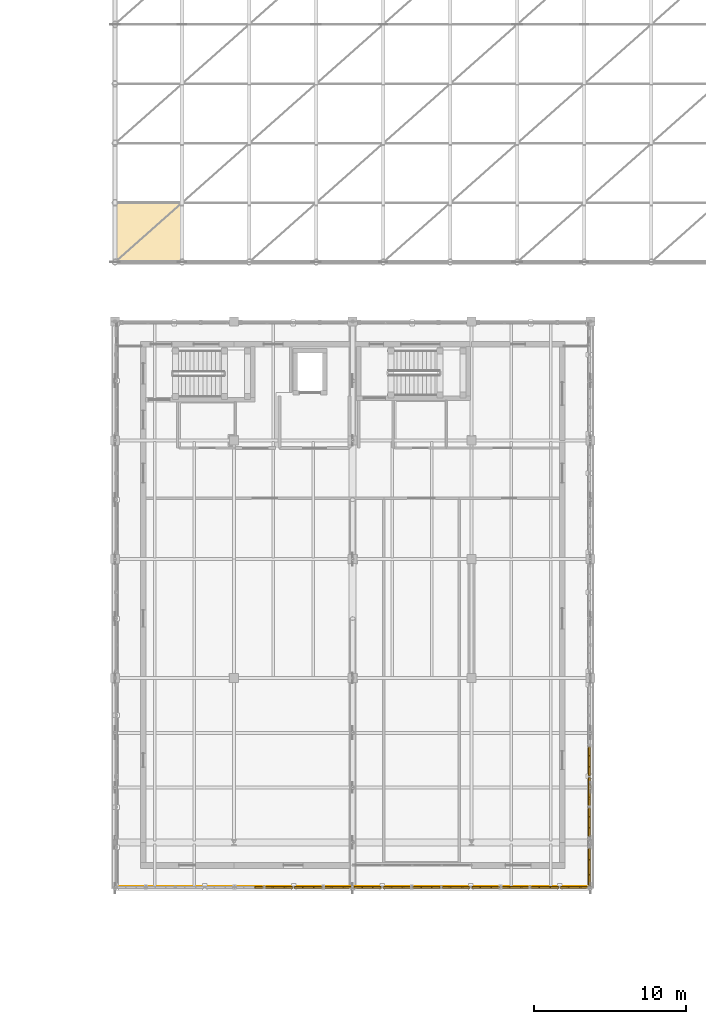
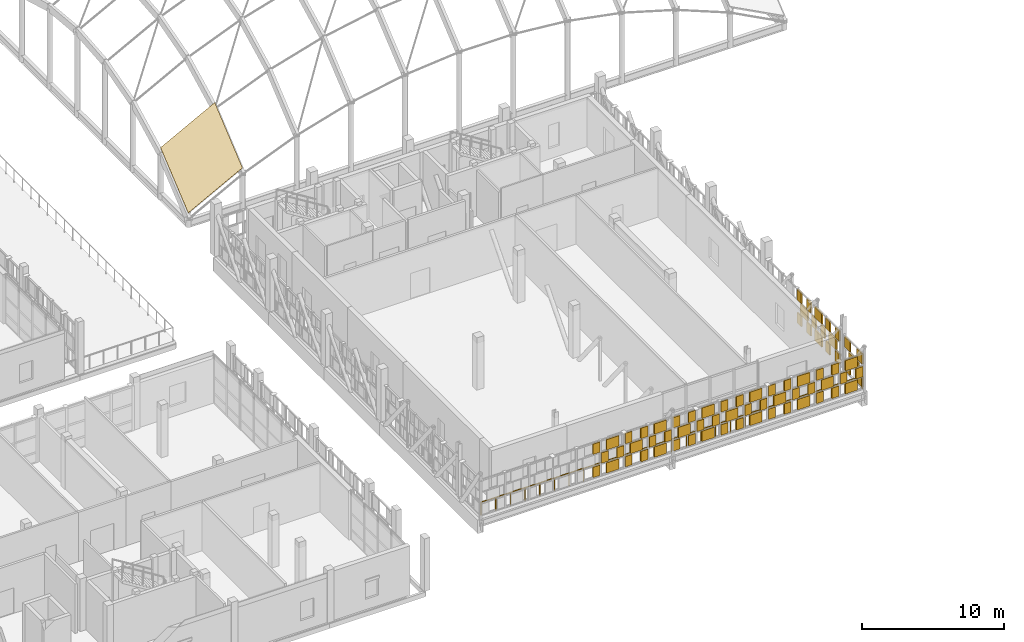
# One storey, part 109 of 119: 71 coverings, 1 railing.
"""IFC4 building model written with IfcOpenShell, lengths in metres."""

from ifc_helpers import new_model, si_unit, direction, frame, origin, origin_2d, place, context, subcontext, project, spatial, polyline, rectangle, circle, outline, extrude, material, layer, layer_set, type_object, element, save


model = new_model("IFC4")

# Units and contexts
model_context = context("Model", 3, precision=1e-05, world=origin(), true_north=direction((0.0, 1.0)))
body_context = subcontext(model_context, "Body", "Model", "MODEL_VIEW")
ifc_project = project(units=[si_unit("LENGTHUNIT", "METRE"), si_unit("AREAUNIT", "SQUARE_METRE"), si_unit("VOLUMEUNIT", "CUBIC_METRE"), si_unit("PLANEANGLEUNIT", "RADIAN"), si_unit("MASSUNIT", "GRAM", prefix="KILO")], contexts=[model_context])

# Site, building, storey
site_placement = place(None, origin())
site = spatial("IfcSite", under=ifc_project, at=site_placement, CompositionType="ELEMENT")
building_placement = place(site_placement, origin())
building = spatial("IfcBuilding", under=site, at=building_placement, Name="Celorna Specialist Clinic", CompositionType="ELEMENT")
storey_placement = place(building_placement, frame((0.0, 0.0, 9.60009765625)))
storey = spatial("IfcBuildingStorey", under=building, at=storey_placement, Name="L02", CompositionType="ELEMENT", Elevation=9.60009765625)

# Railing
ifc_material_1 = material(Name="Stainless steel and laminated glass balustrade", Category="steel")
railing_type = type_object("IfcRailingType", Name="BL-01", PredefinedType="BALUSTRADE", material=ifc_material_1)
railing_placement = place(storey_placement, frame((85.679931640625, 5.820068359375, 0.0)))
element("IfcRailing", 1, at=railing_placement, inside=storey, type_object=railing_type, Name="Lecture Wing Cantilever Veranda L02 perimeter balustrade 8", PredefinedType="BALUSTRADE", context=body_context, shape_type="SweptSolid", body=[
    extrude(circle(Radius=0.02392578125, at=origin_2d()), frame((0.0, 0.0, 1.09619140625), z_axis=(-1.0, 0.0, 0.0), x_axis=(0.0, -1.0, 0.0)), (0.0, 0.0, 1.0), 30.9599609375),
    extrude(circle(Radius=0.02099609375, at=origin_2d()), origin(), (0.0, 0.0, 1.0), 1.072021484375),
    extrude(circle(Radius=0.02099609375, at=origin_2d()), frame((-1.190673828125, 0.0, 0.0)), (0.0, 0.0, 1.0), 1.072021484375),
    extrude(circle(Radius=0.02099609375, at=origin_2d()), frame((-2.381591796875, 0.0, 0.0)), (0.0, 0.0, 1.0), 1.072021484375),
    extrude(circle(Radius=0.02099609375, at=origin_2d()), frame((-3.572265625, 0.0, 0.0)), (0.0, 0.0, 1.0), 1.072021484375),
    extrude(circle(Radius=0.02099609375, at=origin_2d()), frame((-4.76318359375, 0.0, 0.0)), (0.0, 0.0, 1.0), 1.072021484375),
    extrude(circle(Radius=0.02099609375, at=origin_2d()), frame((-5.953857421875, 0.0, 0.0)), (0.0, 0.0, 1.0), 1.072021484375),
    extrude(circle(Radius=0.02099609375, at=origin_2d()), frame((-7.14453125, 0.0, 0.0)), (0.0, 0.0, 1.0), 1.072021484375),
    extrude(circle(Radius=0.02099609375, at=origin_2d()), frame((-8.33544921875, 0.0, 0.0)), (0.0, 0.0, 1.0), 1.072021484375),
    extrude(circle(Radius=0.02099609375, at=origin_2d()), frame((-9.526123046875, 0.0, 0.0)), (0.0, 0.0, 1.0), 1.072021484375),
    extrude(circle(Radius=0.02099609375, at=origin_2d()), frame((-10.716796875, 0.0, 0.0)), (0.0, 0.0, 1.0), 1.072021484375),
    extrude(circle(Radius=0.02099609375, at=origin_2d()), frame((-11.90771484375, 0.0, 0.0)), (0.0, 0.0, 1.0), 1.072021484375),
    extrude(circle(Radius=0.02099609375, at=origin_2d()), frame((-13.098388671875, 0.0, 0.0)), (0.0, 0.0, 1.0), 1.072021484375),
    extrude(circle(Radius=0.02099609375, at=origin_2d()), frame((-14.289306640625, 0.0, 0.0)), (0.0, 0.0, 1.0), 1.072021484375),
    extrude(circle(Radius=0.02099609375, at=origin_2d()), frame((-15.47998046875, 0.0, 0.0)), (0.0, 0.0, 1.0), 1.072021484375),
    extrude(circle(Radius=0.02099609375, at=origin_2d()), frame((-16.670654296875, 0.0, 0.0)), (0.0, 0.0, 1.0), 1.072021484375),
    extrude(circle(Radius=0.02099609375, at=origin_2d()), frame((-17.861572265625, 0.0, 0.0)), (0.0, 0.0, 1.0), 1.072021484375),
    extrude(circle(Radius=0.02099609375, at=origin_2d()), frame((-19.05224609375, 0.0, 0.0)), (0.0, 0.0, 1.0), 1.072021484375),
    extrude(circle(Radius=0.02099609375, at=origin_2d()), frame((-20.2431640625, 0.0, 0.0)), (0.0, 0.0, 1.0), 1.072021484375),
    extrude(circle(Radius=0.02099609375, at=origin_2d()), frame((-21.433837890625, 0.0, 0.0)), (0.0, 0.0, 1.0), 1.072021484375),
    extrude(circle(Radius=0.02099609375, at=origin_2d()), frame((-22.62451171875, 0.0, 0.0)), (0.0, 0.0, 1.0), 1.072021484375),
    extrude(circle(Radius=0.02099609375, at=origin_2d()), frame((-23.8154296875, 0.0, 0.0)), (0.0, 0.0, 1.0), 1.072021484375),
    extrude(circle(Radius=0.02099609375, at=origin_2d()), frame((-25.006103515625, 0.0, 0.0)), (0.0, 0.0, 1.0), 1.072021484375),
    extrude(circle(Radius=0.02099609375, at=origin_2d()), frame((-26.19677734375, 0.0, 0.0)), (0.0, 0.0, 1.0), 1.072021484375),
    extrude(circle(Radius=0.02099609375, at=origin_2d()), frame((-27.3876953125, 0.0, 0.0)), (0.0, 0.0, 1.0), 1.072021484375),
    extrude(circle(Radius=0.02099609375, at=origin_2d()), frame((-28.578369140625, 0.0, 0.0)), (0.0, 0.0, 1.0), 1.072021484375),
    extrude(circle(Radius=0.02099609375, at=origin_2d()), frame((-29.769287109375, 0.0, 0.0)), (0.0, 0.0, 1.0), 1.072021484375),
    extrude(circle(Radius=0.02099609375, at=origin_2d()), frame((-30.9599609375, 0.0, 0.0)), (0.0, 0.0, 1.0), 1.072021484375),
])

# Coverings
ifc_material_2 = material(Name="Perforated terracotta brick weave cladding", Category="masonry")
ifc_layer_1 = layer(ifc_material_2, 0.114990234375, Name="Perforated terracotta brick weave cladding")
ifc_layer_set_1 = layer_set([ifc_layer_1], Name="Perforated terracotta brick weave cladding")
covering_type_1 = type_object("IfcCoveringType", Name="CL-02", PredefinedType="CLADDING", material=ifc_layer_set_1)
for number, where, z_axis, x_axis, name in (
    (2, (64.04248046875, 5.77001953125, 0.099609375), (0.0, 0.0, 1.0), (1.0, 0.0, 0.0), "Woven perforated terracotta brick course #20"),
    (3, (64.04248046875, 5.77001953125, 2.08642578125), (0.0, 0.0, 1.0), (1.0, 0.0, 0.0), "Woven perforated terracotta brick course #23"),
):
    element("IfcCovering", number, at=place(storey_placement, frame(where, z_axis=z_axis, x_axis=x_axis)), inside=storey, type_object=covering_type_1, Name=name, PredefinedType="CLADDING", context=body_context, shape_type="SweptSolid", body=[
        extrude(rectangle(XDim=0.55517578125, YDim=0.114990234375, at=origin_2d()), origin(), (0.0, 0.0, 1.0), 0.893310546875),
    ])
covering_1_placement = place(storey_placement, frame((65.35009765625, 5.77001953125, 0.099609375), z_axis=(0.0, 0.0, 1.0), x_axis=(1.0, 0.0, 0.0)))
element("IfcCovering", 4, at=covering_1_placement, inside=storey, type_object=covering_type_1, Name="Woven perforated terracotta brick course #24", PredefinedType="CLADDING", context=body_context, shape_type="SweptSolid", body=[
    extrude(rectangle(XDim=0.98291015625, YDim=0.114990234375, at=origin_2d()), origin(), (0.0, 0.0, 1.0), 0.893310546875),
])
for number, where, z_axis, x_axis, name in (
    (5, (64.717529296875, 5.77001953125, 1.09326171875), (0.0, 0.0, 1.0), (1.0, 0.0, 0.0), "Woven perforated terracotta brick course #25"),
    (6, (65.982421875, 5.77001953125, 1.09326171875), (0.0, 0.0, 1.0), (1.0, 0.0, 0.0), "Woven perforated terracotta brick course #26"),
):
    element("IfcCovering", number, at=place(storey_placement, frame(where, z_axis=z_axis, x_axis=x_axis)), inside=storey, type_object=covering_type_1, Name=name, PredefinedType="CLADDING", context=body_context, shape_type="SweptSolid", body=[
        extrude(rectangle(XDim=0.55517578125, YDim=0.114990234375, at=origin_2d()), origin(), (0.0, 0.0, 1.0), 0.893310546875),
    ])
covering_2_placement = place(storey_placement, frame((65.35009765625, 5.77001953125, 2.08642578125), z_axis=(0.0, 0.0, 1.0), x_axis=(1.0, 0.0, 0.0)))
element("IfcCovering", 7, at=covering_2_placement, inside=storey, type_object=covering_type_1, Name="Woven perforated terracotta brick course #27", PredefinedType="CLADDING", context=body_context, shape_type="SweptSolid", body=[
    extrude(rectangle(XDim=0.98291015625, YDim=0.114990234375, at=origin_2d()), origin(), (0.0, 0.0, 1.0), 0.893310546875),
])
for number, where, z_axis, x_axis, name in (
    (8, (66.65771484375, 5.77001953125, 0.099609375), (0.0, 0.0, 1.0), (1.0, 0.0, 0.0), "Woven perforated terracotta brick course #28"),
    (9, (67.92236328125, 5.77001953125, 0.099609375), (0.0, 0.0, 1.0), (1.0, 0.0, 0.0), "Woven perforated terracotta brick course #29"),
):
    element("IfcCovering", number, at=place(storey_placement, frame(where, z_axis=z_axis, x_axis=x_axis)), inside=storey, type_object=covering_type_1, Name=name, PredefinedType="CLADDING", context=body_context, shape_type="SweptSolid", body=[
        extrude(rectangle(XDim=0.55517578125, YDim=0.114990234375, at=origin_2d()), origin(), (0.0, 0.0, 1.0), 0.893310546875),
    ])
covering_3_placement = place(storey_placement, frame((67.2900390625, 5.77001953125, 1.09326171875), z_axis=(0.0, 0.0, 1.0), x_axis=(1.0, 0.0, 0.0)))
element("IfcCovering", 10, at=covering_3_placement, inside=storey, type_object=covering_type_1, Name="Woven perforated terracotta brick course #30", PredefinedType="CLADDING", context=body_context, shape_type="SweptSolid", body=[
    extrude(rectangle(XDim=0.98291015625, YDim=0.114990234375, at=origin_2d()), origin(), (0.0, 0.0, 1.0), 0.893310546875),
])
for number, where, z_axis, x_axis, name in (
    (11, (66.65771484375, 5.77001953125, 2.08642578125), (0.0, 0.0, 1.0), (1.0, 0.0, 0.0), "Woven perforated terracotta brick course #31"),
    (12, (67.92236328125, 5.77001953125, 2.08642578125), (0.0, 0.0, 1.0), (1.0, 0.0, 0.0), "Woven perforated terracotta brick course #32"),
):
    element("IfcCovering", number, at=place(storey_placement, frame(where, z_axis=z_axis, x_axis=x_axis)), inside=storey, type_object=covering_type_1, Name=name, PredefinedType="CLADDING", context=body_context, shape_type="SweptSolid", body=[
        extrude(rectangle(XDim=0.55517578125, YDim=0.114990234375, at=origin_2d()), origin(), (0.0, 0.0, 1.0), 0.893310546875),
    ])
covering_4_placement = place(storey_placement, frame((69.22998046875, 5.77001953125, 0.099609375), z_axis=(0.0, 0.0, 1.0), x_axis=(1.0, 0.0, 0.0)))
element("IfcCovering", 13, at=covering_4_placement, inside=storey, type_object=covering_type_1, Name="Woven perforated terracotta brick course #33", PredefinedType="CLADDING", context=body_context, shape_type="SweptSolid", body=[
    extrude(rectangle(XDim=0.98291015625, YDim=0.114990234375, at=origin_2d()), origin(), (0.0, 0.0, 1.0), 0.893310546875),
])
for number, where, z_axis, x_axis, name in (
    (14, (68.597412109375, 5.77001953125, 1.09326171875), (0.0, 0.0, 1.0), (1.0, 0.0, 0.0), "Woven perforated terracotta brick course #34"),
    (15, (69.8623046875, 5.77001953125, 1.09326171875), (0.0, 0.0, 1.0), (1.0, 0.0, 0.0), "Woven perforated terracotta brick course #35"),
):
    element("IfcCovering", number, at=place(storey_placement, frame(where, z_axis=z_axis, x_axis=x_axis)), inside=storey, type_object=covering_type_1, Name=name, PredefinedType="CLADDING", context=body_context, shape_type="SweptSolid", body=[
        extrude(rectangle(XDim=0.55517578125, YDim=0.114990234375, at=origin_2d()), origin(), (0.0, 0.0, 1.0), 0.893310546875),
    ])
covering_5_placement = place(storey_placement, frame((69.22998046875, 5.77001953125, 2.08642578125), z_axis=(0.0, 0.0, 1.0), x_axis=(1.0, 0.0, 0.0)))
element("IfcCovering", 16, at=covering_5_placement, inside=storey, type_object=covering_type_1, Name="Woven perforated terracotta brick course #36", PredefinedType="CLADDING", context=body_context, shape_type="SweptSolid", body=[
    extrude(rectangle(XDim=0.98291015625, YDim=0.114990234375, at=origin_2d()), origin(), (0.0, 0.0, 1.0), 0.893310546875),
])
for number, where, z_axis, x_axis, name in (
    (17, (70.53759765625, 5.77001953125, 0.099609375), (0.0, 0.0, 1.0), (1.0, 0.0, 0.0), "Woven perforated terracotta brick course #37"),
    (18, (71.802490234375, 5.77001953125, 0.099609375), (0.0, 0.0, 1.0), (1.0, 0.0, 0.0), "Woven perforated terracotta brick course #38"),
):
    element("IfcCovering", number, at=place(storey_placement, frame(where, z_axis=z_axis, x_axis=x_axis)), inside=storey, type_object=covering_type_1, Name=name, PredefinedType="CLADDING", context=body_context, shape_type="SweptSolid", body=[
        extrude(rectangle(XDim=0.55517578125, YDim=0.114990234375, at=origin_2d()), origin(), (0.0, 0.0, 1.0), 0.893310546875),
    ])
covering_6_placement = place(storey_placement, frame((71.169921875, 5.77001953125, 1.09326171875), z_axis=(0.0, 0.0, 1.0), x_axis=(1.0, 0.0, 0.0)))
element("IfcCovering", 19, at=covering_6_placement, inside=storey, type_object=covering_type_1, Name="Woven perforated terracotta brick course #39", PredefinedType="CLADDING", context=body_context, shape_type="SweptSolid", body=[
    extrude(rectangle(XDim=0.98291015625, YDim=0.114990234375, at=origin_2d()), origin(), (0.0, 0.0, 1.0), 0.893310546875),
])
for number, where, z_axis, x_axis, name in (
    (20, (70.53759765625, 5.77001953125, 2.08642578125), (0.0, 0.0, 1.0), (1.0, 0.0, 0.0), "Woven perforated terracotta brick course #40"),
    (21, (71.802490234375, 5.77001953125, 2.08642578125), (0.0, 0.0, 1.0), (1.0, 0.0, 0.0), "Woven perforated terracotta brick course #41"),
):
    element("IfcCovering", number, at=place(storey_placement, frame(where, z_axis=z_axis, x_axis=x_axis)), inside=storey, type_object=covering_type_1, Name=name, PredefinedType="CLADDING", context=body_context, shape_type="SweptSolid", body=[
        extrude(rectangle(XDim=0.55517578125, YDim=0.114990234375, at=origin_2d()), origin(), (0.0, 0.0, 1.0), 0.893310546875),
    ])
covering_7_placement = place(storey_placement, frame((73.110107421875, 5.77001953125, 0.099609375), z_axis=(0.0, 0.0, 1.0), x_axis=(1.0, 0.0, 0.0)))
element("IfcCovering", 22, at=covering_7_placement, inside=storey, type_object=covering_type_1, Name="Woven perforated terracotta brick course #42", PredefinedType="CLADDING", context=body_context, shape_type="SweptSolid", body=[
    extrude(rectangle(XDim=0.98291015625, YDim=0.114990234375, at=origin_2d()), origin(), (0.0, 0.0, 1.0), 0.893310546875),
])
for number, where, z_axis, x_axis, name in (
    (23, (72.4775390625, 5.77001953125, 1.09326171875), (0.0, 0.0, 1.0), (1.0, 0.0, 0.0), "Woven perforated terracotta brick course #43"),
    (24, (73.742431640625, 5.77001953125, 1.09326171875), (0.0, 0.0, 1.0), (1.0, 0.0, 0.0), "Woven perforated terracotta brick course #44"),
):
    element("IfcCovering", number, at=place(storey_placement, frame(where, z_axis=z_axis, x_axis=x_axis)), inside=storey, type_object=covering_type_1, Name=name, PredefinedType="CLADDING", context=body_context, shape_type="SweptSolid", body=[
        extrude(rectangle(XDim=0.55517578125, YDim=0.114990234375, at=origin_2d()), origin(), (0.0, 0.0, 1.0), 0.893310546875),
    ])
covering_8_placement = place(storey_placement, frame((73.110107421875, 5.77001953125, 2.08642578125), z_axis=(0.0, 0.0, 1.0), x_axis=(1.0, 0.0, 0.0)))
element("IfcCovering", 25, at=covering_8_placement, inside=storey, type_object=covering_type_1, Name="Woven perforated terracotta brick course #45", PredefinedType="CLADDING", context=body_context, shape_type="SweptSolid", body=[
    extrude(rectangle(XDim=0.98291015625, YDim=0.114990234375, at=origin_2d()), origin(), (0.0, 0.0, 1.0), 0.893310546875),
])
for number, where, z_axis, x_axis, name in (
    (26, (74.41748046875, 5.77001953125, 0.099609375), (0.0, 0.0, 1.0), (1.0, 0.0, 0.0), "Woven perforated terracotta brick course #46"),
    (27, (75.6826171875, 5.77001953125, 0.099609375), (0.0, 0.0, 1.0), (1.0, 0.0, 0.0), "Woven perforated terracotta brick course #47"),
):
    element("IfcCovering", number, at=place(storey_placement, frame(where, z_axis=z_axis, x_axis=x_axis)), inside=storey, type_object=covering_type_1, Name=name, PredefinedType="CLADDING", context=body_context, shape_type="SweptSolid", body=[
        extrude(rectangle(XDim=0.55517578125, YDim=0.114990234375, at=origin_2d()), origin(), (0.0, 0.0, 1.0), 0.893310546875),
    ])
covering_9_placement = place(storey_placement, frame((75.050048828125, 5.77001953125, 1.09326171875), z_axis=(0.0, 0.0, 1.0), x_axis=(1.0, 0.0, 0.0)))
element("IfcCovering", 28, at=covering_9_placement, inside=storey, type_object=covering_type_1, Name="Woven perforated terracotta brick course #48", PredefinedType="CLADDING", context=body_context, shape_type="SweptSolid", body=[
    extrude(rectangle(XDim=0.98291015625, YDim=0.114990234375, at=origin_2d()), origin(), (0.0, 0.0, 1.0), 0.893310546875),
])
for number, where, z_axis, x_axis, name in (
    (29, (74.41748046875, 5.77001953125, 2.08642578125), (0.0, 0.0, 1.0), (1.0, 0.0, 0.0), "Woven perforated terracotta brick course #49"),
    (30, (75.6826171875, 5.77001953125, 2.08642578125), (0.0, 0.0, 1.0), (1.0, 0.0, 0.0), "Woven perforated terracotta brick course #50"),
):
    element("IfcCovering", number, at=place(storey_placement, frame(where, z_axis=z_axis, x_axis=x_axis)), inside=storey, type_object=covering_type_1, Name=name, PredefinedType="CLADDING", context=body_context, shape_type="SweptSolid", body=[
        extrude(rectangle(XDim=0.55517578125, YDim=0.114990234375, at=origin_2d()), origin(), (0.0, 0.0, 1.0), 0.893310546875),
    ])
covering_10_placement = place(storey_placement, frame((76.989990234375, 5.77001953125, 0.099609375), z_axis=(0.0, 0.0, 1.0), x_axis=(1.0, 0.0, 0.0)))
element("IfcCovering", 31, at=covering_10_placement, inside=storey, type_object=covering_type_1, Name="Woven perforated terracotta brick course #51", PredefinedType="CLADDING", context=body_context, shape_type="SweptSolid", body=[
    extrude(rectangle(XDim=0.98291015625, YDim=0.114990234375, at=origin_2d()), origin(), (0.0, 0.0, 1.0), 0.893310546875),
])
for number, where, z_axis, x_axis, name in (
    (32, (76.357666015625, 5.77001953125, 1.09326171875), (0.0, 0.0, 1.0), (1.0, 0.0, 0.0), "Woven perforated terracotta brick course #52"),
    (33, (77.62255859375, 5.77001953125, 1.09326171875), (0.0, 0.0, 1.0), (1.0, 0.0, 0.0), "Woven perforated terracotta brick course #53"),
):
    element("IfcCovering", number, at=place(storey_placement, frame(where, z_axis=z_axis, x_axis=x_axis)), inside=storey, type_object=covering_type_1, Name=name, PredefinedType="CLADDING", context=body_context, shape_type="SweptSolid", body=[
        extrude(rectangle(XDim=0.55517578125, YDim=0.114990234375, at=origin_2d()), origin(), (0.0, 0.0, 1.0), 0.893310546875),
    ])
covering_11_placement = place(storey_placement, frame((76.989990234375, 5.77001953125, 2.08642578125), z_axis=(0.0, 0.0, 1.0), x_axis=(1.0, 0.0, 0.0)))
element("IfcCovering", 34, at=covering_11_placement, inside=storey, type_object=covering_type_1, Name="Woven perforated terracotta brick course #54", PredefinedType="CLADDING", context=body_context, shape_type="SweptSolid", body=[
    extrude(rectangle(XDim=0.98291015625, YDim=0.114990234375, at=origin_2d()), origin(), (0.0, 0.0, 1.0), 0.893310546875),
])
for number, where, z_axis, x_axis, name in (
    (35, (78.297607421875, 5.77001953125, 0.099609375), (0.0, 0.0, 1.0), (1.0, 0.0, 0.0), "Woven perforated terracotta brick course #55"),
    (36, (79.5625, 5.77001953125, 0.099609375), (0.0, 0.0, 1.0), (1.0, 0.0, 0.0), "Woven perforated terracotta brick course #56"),
):
    element("IfcCovering", number, at=place(storey_placement, frame(where, z_axis=z_axis, x_axis=x_axis)), inside=storey, type_object=covering_type_1, Name=name, PredefinedType="CLADDING", context=body_context, shape_type="SweptSolid", body=[
        extrude(rectangle(XDim=0.55517578125, YDim=0.114990234375, at=origin_2d()), origin(), (0.0, 0.0, 1.0), 0.893310546875),
    ])
covering_12_placement = place(storey_placement, frame((78.929931640625, 5.77001953125, 1.09326171875), z_axis=(0.0, 0.0, 1.0), x_axis=(1.0, 0.0, 0.0)))
element("IfcCovering", 37, at=covering_12_placement, inside=storey, type_object=covering_type_1, Name="Woven perforated terracotta brick course #57", PredefinedType="CLADDING", context=body_context, shape_type="SweptSolid", body=[
    extrude(rectangle(XDim=0.98291015625, YDim=0.114990234375, at=origin_2d()), origin(), (0.0, 0.0, 1.0), 0.893310546875),
])
for number, where, z_axis, x_axis, name in (
    (38, (78.297607421875, 5.77001953125, 2.08642578125), (0.0, 0.0, 1.0), (1.0, 0.0, 0.0), "Woven perforated terracotta brick course #58"),
    (39, (79.5625, 5.77001953125, 2.08642578125), (0.0, 0.0, 1.0), (1.0, 0.0, 0.0), "Woven perforated terracotta brick course #59"),
):
    element("IfcCovering", number, at=place(storey_placement, frame(where, z_axis=z_axis, x_axis=x_axis)), inside=storey, type_object=covering_type_1, Name=name, PredefinedType="CLADDING", context=body_context, shape_type="SweptSolid", body=[
        extrude(rectangle(XDim=0.55517578125, YDim=0.114990234375, at=origin_2d()), origin(), (0.0, 0.0, 1.0), 0.893310546875),
    ])
covering_13_placement = place(storey_placement, frame((80.8701171875, 5.77001953125, 0.099609375), z_axis=(0.0, 0.0, 1.0), x_axis=(1.0, 0.0, 0.0)))
element("IfcCovering", 40, at=covering_13_placement, inside=storey, type_object=covering_type_1, Name="Woven perforated terracotta brick course #60", PredefinedType="CLADDING", context=body_context, shape_type="SweptSolid", body=[
    extrude(rectangle(XDim=0.98291015625, YDim=0.114990234375, at=origin_2d()), origin(), (0.0, 0.0, 1.0), 0.893310546875),
])
for number, where, z_axis, x_axis, name in (
    (41, (80.237548828125, 5.77001953125, 1.09326171875), (0.0, 0.0, 1.0), (1.0, 0.0, 0.0), "Woven perforated terracotta brick course #61"),
    (42, (81.50244140625, 5.77001953125, 1.09326171875), (0.0, 0.0, 1.0), (1.0, 0.0, 0.0), "Woven perforated terracotta brick course #62"),
):
    element("IfcCovering", number, at=place(storey_placement, frame(where, z_axis=z_axis, x_axis=x_axis)), inside=storey, type_object=covering_type_1, Name=name, PredefinedType="CLADDING", context=body_context, shape_type="SweptSolid", body=[
        extrude(rectangle(XDim=0.55517578125, YDim=0.114990234375, at=origin_2d()), origin(), (0.0, 0.0, 1.0), 0.893310546875),
    ])
covering_14_placement = place(storey_placement, frame((80.8701171875, 5.77001953125, 2.08642578125), z_axis=(0.0, 0.0, 1.0), x_axis=(1.0, 0.0, 0.0)))
element("IfcCovering", 43, at=covering_14_placement, inside=storey, type_object=covering_type_1, Name="Woven perforated terracotta brick course #63", PredefinedType="CLADDING", context=body_context, shape_type="SweptSolid", body=[
    extrude(rectangle(XDim=0.98291015625, YDim=0.114990234375, at=origin_2d()), origin(), (0.0, 0.0, 1.0), 0.893310546875),
])
for number, where, z_axis, x_axis, name in (
    (44, (82.177490234375, 5.77001953125, 0.099609375), (0.0, 0.0, 1.0), (1.0, 0.0, 0.0), "Woven perforated terracotta brick course #64"),
    (45, (83.4423828125, 5.77001953125, 0.099609375), (0.0, 0.0, 1.0), (1.0, 0.0, 0.0), "Woven perforated terracotta brick course #65"),
):
    element("IfcCovering", number, at=place(storey_placement, frame(where, z_axis=z_axis, x_axis=x_axis)), inside=storey, type_object=covering_type_1, Name=name, PredefinedType="CLADDING", context=body_context, shape_type="SweptSolid", body=[
        extrude(rectangle(XDim=0.55517578125, YDim=0.114990234375, at=origin_2d()), origin(), (0.0, 0.0, 1.0), 0.893310546875),
    ])
covering_15_placement = place(storey_placement, frame((82.81005859375, 5.77001953125, 1.09326171875), z_axis=(0.0, 0.0, 1.0), x_axis=(1.0, 0.0, 0.0)))
element("IfcCovering", 46, at=covering_15_placement, inside=storey, type_object=covering_type_1, Name="Woven perforated terracotta brick course #66", PredefinedType="CLADDING", context=body_context, shape_type="SweptSolid", body=[
    extrude(rectangle(XDim=0.98291015625, YDim=0.114990234375, at=origin_2d()), origin(), (0.0, 0.0, 1.0), 0.893310546875),
])
for number, where, z_axis, x_axis, name in (
    (47, (82.177490234375, 5.77001953125, 2.08642578125), (0.0, 0.0, 1.0), (1.0, 0.0, 0.0), "Woven perforated terracotta brick course #67"),
    (48, (83.4423828125, 5.77001953125, 2.08642578125), (0.0, 0.0, 1.0), (1.0, 0.0, 0.0), "Woven perforated terracotta brick course #68"),
):
    element("IfcCovering", number, at=place(storey_placement, frame(where, z_axis=z_axis, x_axis=x_axis)), inside=storey, type_object=covering_type_1, Name=name, PredefinedType="CLADDING", context=body_context, shape_type="SweptSolid", body=[
        extrude(rectangle(XDim=0.55517578125, YDim=0.114990234375, at=origin_2d()), origin(), (0.0, 0.0, 1.0), 0.893310546875),
    ])
covering_16_placement = place(storey_placement, frame((84.75, 5.77001953125, 0.099609375), z_axis=(0.0, 0.0, 1.0), x_axis=(1.0, 0.0, 0.0)))
element("IfcCovering", 49, at=covering_16_placement, inside=storey, type_object=covering_type_1, Name="Woven perforated terracotta brick course #69", PredefinedType="CLADDING", context=body_context, shape_type="SweptSolid", body=[
    extrude(rectangle(XDim=0.98291015625, YDim=0.114990234375, at=origin_2d()), origin(), (0.0, 0.0, 1.0), 0.893310546875),
])
for number, where, z_axis, x_axis, name in (
    (50, (84.117431640625, 5.77001953125, 1.09326171875), (0.0, 0.0, 1.0), (1.0, 0.0, 0.0), "Woven perforated terracotta brick course #70"),
    (51, (85.382568359375, 5.77001953125, 1.09326171875), (0.0, 0.0, 1.0), (1.0, 0.0, 0.0), "Woven perforated terracotta brick course #71"),
):
    element("IfcCovering", number, at=place(storey_placement, frame(where, z_axis=z_axis, x_axis=x_axis)), inside=storey, type_object=covering_type_1, Name=name, PredefinedType="CLADDING", context=body_context, shape_type="SweptSolid", body=[
        extrude(rectangle(XDim=0.55517578125, YDim=0.114990234375, at=origin_2d()), origin(), (0.0, 0.0, 1.0), 0.893310546875),
    ])
covering_17_placement = place(storey_placement, frame((84.75, 5.77001953125, 2.08642578125), z_axis=(0.0, 0.0, 1.0), x_axis=(1.0, 0.0, 0.0)))
element("IfcCovering", 52, at=covering_17_placement, inside=storey, type_object=covering_type_1, Name="Woven perforated terracotta brick course #72", PredefinedType="CLADDING", context=body_context, shape_type="SweptSolid", body=[
    extrude(rectangle(XDim=0.98291015625, YDim=0.114990234375, at=origin_2d()), origin(), (0.0, 0.0, 1.0), 0.893310546875),
])
for number, where, z_axis, x_axis, name in (
    (53, (85.72998046875, 6.21826171875, 0.099609375), (0.0, 0.0, 1.0), (0.0, 1.0, 0.0), "Woven perforated terracotta brick course #309"),
    (54, (85.72998046875, 7.94189453125, 0.099609375), (0.0, 0.0, 1.0), (0.0, 1.0, 0.0), "Woven perforated terracotta brick course #310"),
):
    element("IfcCovering", number, at=place(storey_placement, frame(where, z_axis=z_axis, x_axis=x_axis)), inside=storey, type_object=covering_type_1, Name=name, PredefinedType="CLADDING", context=body_context, shape_type="SweptSolid", body=[
        extrude(rectangle(XDim=0.75634765625, YDim=0.114990234375, at=origin_2d()), origin(), (0.0, 0.0, 1.0), 0.893310546875),
    ])
covering_18_placement = place(storey_placement, frame((85.72998046875, 7.080078125, 1.09326171875), z_axis=(0.0, 0.0, 1.0), x_axis=(0.0, 1.0, 0.0)))
element("IfcCovering", 55, at=covering_18_placement, inside=storey, type_object=covering_type_1, Name="Woven perforated terracotta brick course #311", PredefinedType="CLADDING", context=body_context, shape_type="SweptSolid", body=[
    extrude(rectangle(XDim=1.339111328125, YDim=0.114990234375, at=origin_2d()), origin(), (0.0, 0.0, 1.0), 0.893310546875),
])
for number, where, z_axis, x_axis, name in (
    (56, (85.72998046875, 6.21826171875, 2.08642578125), (0.0, 0.0, 1.0), (0.0, 1.0, 0.0), "Woven perforated terracotta brick course #312"),
    (57, (85.72998046875, 7.94189453125, 2.08642578125), (0.0, 0.0, 1.0), (0.0, 1.0, 0.0), "Woven perforated terracotta brick course #313"),
):
    element("IfcCovering", number, at=place(storey_placement, frame(where, z_axis=z_axis, x_axis=x_axis)), inside=storey, type_object=covering_type_1, Name=name, PredefinedType="CLADDING", context=body_context, shape_type="SweptSolid", body=[
        extrude(rectangle(XDim=0.75634765625, YDim=0.114990234375, at=origin_2d()), origin(), (0.0, 0.0, 1.0), 0.893310546875),
    ])
for number, where, z_axis, x_axis, name in (
    (58, (85.72998046875, 9.367919921875, 0.099609375), (0.0, 0.0, 1.0), (0.0, 1.0, 0.0), "Woven perforated terracotta brick course #314"),
    (59, (85.72998046875, 10.68017578125, 0.099609375), (0.0, 0.0, 1.0), (0.0, 1.0, 0.0), "Woven perforated terracotta brick course #315"),
):
    element("IfcCovering", number, at=place(storey_placement, frame(where, z_axis=z_axis, x_axis=x_axis)), inside=storey, type_object=covering_type_1, Name=name, PredefinedType="CLADDING", context=body_context, shape_type="SweptSolid", body=[
        extrude(rectangle(XDim=0.57568359375, YDim=0.114990234375, at=origin_2d()), origin(), (0.0, 0.0, 1.0), 0.893310546875),
    ])
covering_19_placement = place(storey_placement, frame((85.72998046875, 10.02392578125, 1.09326171875), z_axis=(0.0, 0.0, 1.0), x_axis=(0.0, 1.0, 0.0)))
element("IfcCovering", 60, at=covering_19_placement, inside=storey, type_object=covering_type_1, Name="Woven perforated terracotta brick course #316", PredefinedType="CLADDING", context=body_context, shape_type="SweptSolid", body=[
    extrude(rectangle(XDim=1.01953125, YDim=0.114990234375, at=origin_2d()), origin(), (0.0, 0.0, 1.0), 0.893310546875),
])
for number, where, z_axis, x_axis, name in (
    (61, (85.72998046875, 9.367919921875, 2.08642578125), (0.0, 0.0, 1.0), (0.0, 1.0, 0.0), "Woven perforated terracotta brick course #317"),
    (62, (85.72998046875, 10.68017578125, 2.08642578125), (0.0, 0.0, 1.0), (0.0, 1.0, 0.0), "Woven perforated terracotta brick course #318"),
):
    element("IfcCovering", number, at=place(storey_placement, frame(where, z_axis=z_axis, x_axis=x_axis)), inside=storey, type_object=covering_type_1, Name=name, PredefinedType="CLADDING", context=body_context, shape_type="SweptSolid", body=[
        extrude(rectangle(XDim=0.57568359375, YDim=0.114990234375, at=origin_2d()), origin(), (0.0, 0.0, 1.0), 0.893310546875),
    ])
covering_20_placement = place(storey_placement, frame((85.72998046875, 12.031982421875, 0.099609375), z_axis=(0.0, 0.0, 1.0), x_axis=(0.0, 1.0, 0.0)))
element("IfcCovering", 63, at=covering_20_placement, inside=storey, type_object=covering_type_1, Name="Woven perforated terracotta brick course #319", PredefinedType="CLADDING", context=body_context, shape_type="SweptSolid", body=[
    extrude(rectangle(XDim=1.01953125, YDim=0.114990234375, at=origin_2d()), origin(), (0.0, 0.0, 1.0), 0.893310546875),
])
for number, where, z_axis, x_axis, name in (
    (64, (85.72998046875, 11.3759765625, 1.09326171875), (0.0, 0.0, 1.0), (0.0, 1.0, 0.0), "Woven perforated terracotta brick course #320"),
    (65, (85.72998046875, 12.68798828125, 1.09326171875), (0.0, 0.0, 1.0), (0.0, 1.0, 0.0), "Woven perforated terracotta brick course #321"),
):
    element("IfcCovering", number, at=place(storey_placement, frame(where, z_axis=z_axis, x_axis=x_axis)), inside=storey, type_object=covering_type_1, Name=name, PredefinedType="CLADDING", context=body_context, shape_type="SweptSolid", body=[
        extrude(rectangle(XDim=0.57568359375, YDim=0.114990234375, at=origin_2d()), origin(), (0.0, 0.0, 1.0), 0.893310546875),
    ])
covering_21_placement = place(storey_placement, frame((85.72998046875, 12.031982421875, 2.08642578125), z_axis=(0.0, 0.0, 1.0), x_axis=(0.0, 1.0, 0.0)))
element("IfcCovering", 66, at=covering_21_placement, inside=storey, type_object=covering_type_1, Name="Woven perforated terracotta brick course #322", PredefinedType="CLADDING", context=body_context, shape_type="SweptSolid", body=[
    extrude(rectangle(XDim=1.01953125, YDim=0.114990234375, at=origin_2d()), origin(), (0.0, 0.0, 1.0), 0.893310546875),
])
for number, where, z_axis, x_axis, name in (
    (67, (85.72998046875, 13.3837890625, 0.099609375), (0.0, 0.0, 1.0), (0.0, 1.0, 0.0), "Woven perforated terracotta brick course #323"),
    (68, (85.72998046875, 14.696044921875, 0.099609375), (0.0, 0.0, 1.0), (0.0, 1.0, 0.0), "Woven perforated terracotta brick course #324"),
):
    element("IfcCovering", number, at=place(storey_placement, frame(where, z_axis=z_axis, x_axis=x_axis)), inside=storey, type_object=covering_type_1, Name=name, PredefinedType="CLADDING", context=body_context, shape_type="SweptSolid", body=[
        extrude(rectangle(XDim=0.57568359375, YDim=0.114990234375, at=origin_2d()), origin(), (0.0, 0.0, 1.0), 0.893310546875),
    ])
covering_22_placement = place(storey_placement, frame((85.72998046875, 14.0400390625, 1.09326171875), z_axis=(0.0, 0.0, 1.0), x_axis=(0.0, 1.0, 0.0)))
element("IfcCovering", 69, at=covering_22_placement, inside=storey, type_object=covering_type_1, Name="Woven perforated terracotta brick course #325", PredefinedType="CLADDING", context=body_context, shape_type="SweptSolid", body=[
    extrude(rectangle(XDim=1.01953125, YDim=0.114990234375, at=origin_2d()), origin(), (0.0, 0.0, 1.0), 0.893310546875),
])
for number, where, z_axis, x_axis, name in (
    (70, (85.72998046875, 13.3837890625, 2.08642578125), (0.0, 0.0, 1.0), (0.0, 1.0, 0.0), "Woven perforated terracotta brick course #326"),
    (71, (85.72998046875, 14.696044921875, 2.08642578125), (0.0, 0.0, 1.0), (0.0, 1.0, 0.0), "Woven perforated terracotta brick course #327"),
):
    element("IfcCovering", number, at=place(storey_placement, frame(where, z_axis=z_axis, x_axis=x_axis)), inside=storey, type_object=covering_type_1, Name=name, PredefinedType="CLADDING", context=body_context, shape_type="SweptSolid", body=[
        extrude(rectangle(XDim=0.57568359375, YDim=0.114990234375, at=origin_2d()), origin(), (0.0, 0.0, 1.0), 0.893310546875),
    ])
ifc_material_3 = material(Name="Standing-seam zinc and EPDM acoustic roofing membrane")
ifc_layer_2 = layer(ifc_material_3, 0.0400390625, Name="Standing-seam zinc and EPDM acoustic roofing membrane")
ifc_layer_set_2 = layer_set([ifc_layer_2], Name="Standing-seam zinc and EPDM acoustic roofing membrane")
covering_type_2 = type_object("IfcCoveringType", Name="RFG-01", PredefinedType="ROOFING", material=ifc_layer_set_2)
covering_23_placement = place(storey_placement, frame((54.60009765625, 46.800048828125, 1.1298828125), z_axis=(-0.377044351271, -0.592167971342, 0.712161955521), x_axis=(0.883775414362, 1.0340211e-05, 0.467911334403)))
element("IfcCovering", 72, at=covering_23_placement, inside=storey, type_object=covering_type_2, Name="GSH-V1 gridshell standing-seam roofing 1-1", PredefinedType="ROOFING", context=body_context, shape_type="SweptSolid", body=[
    extrude(outline(polyline([(0.0, 0.0), (4.978567009399633, 0.0), (6.495892087051352, 4.839618695131234), (1.5174393138173456, 4.839746463587173), (0.0, 0.0)])), origin(), (0.0, 0.0, -1.0), 0.0400390625),
])

save(model, "model.ifc")
